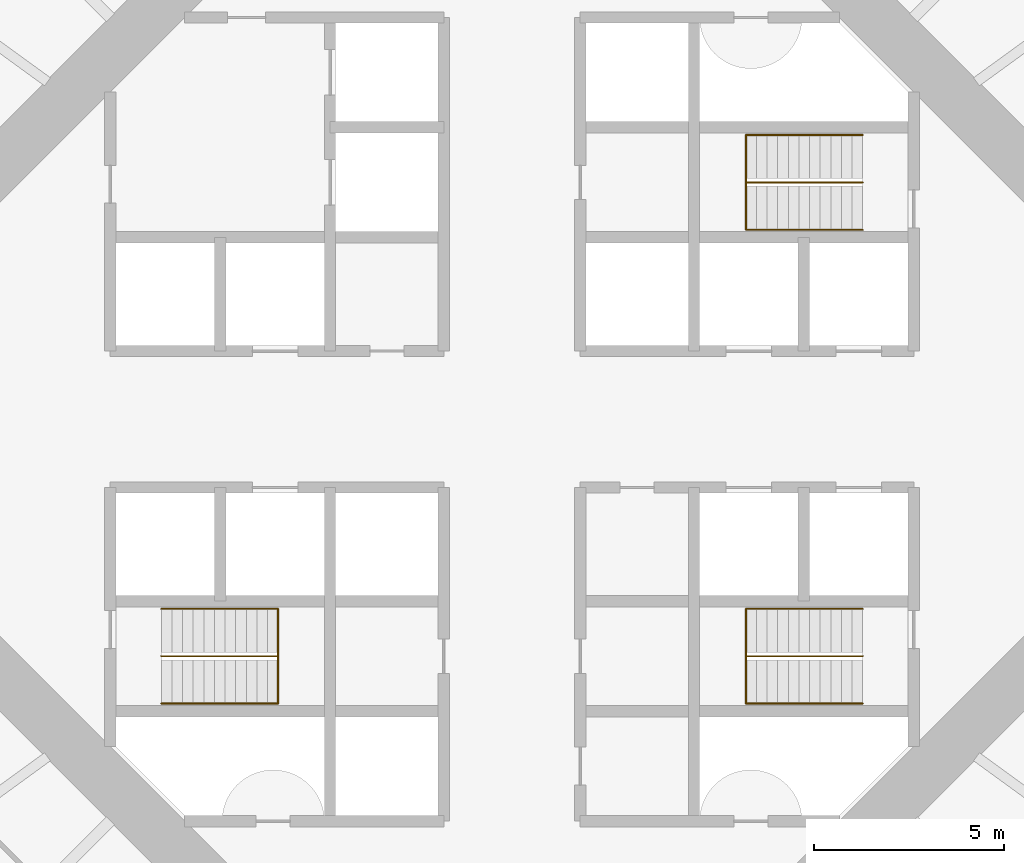
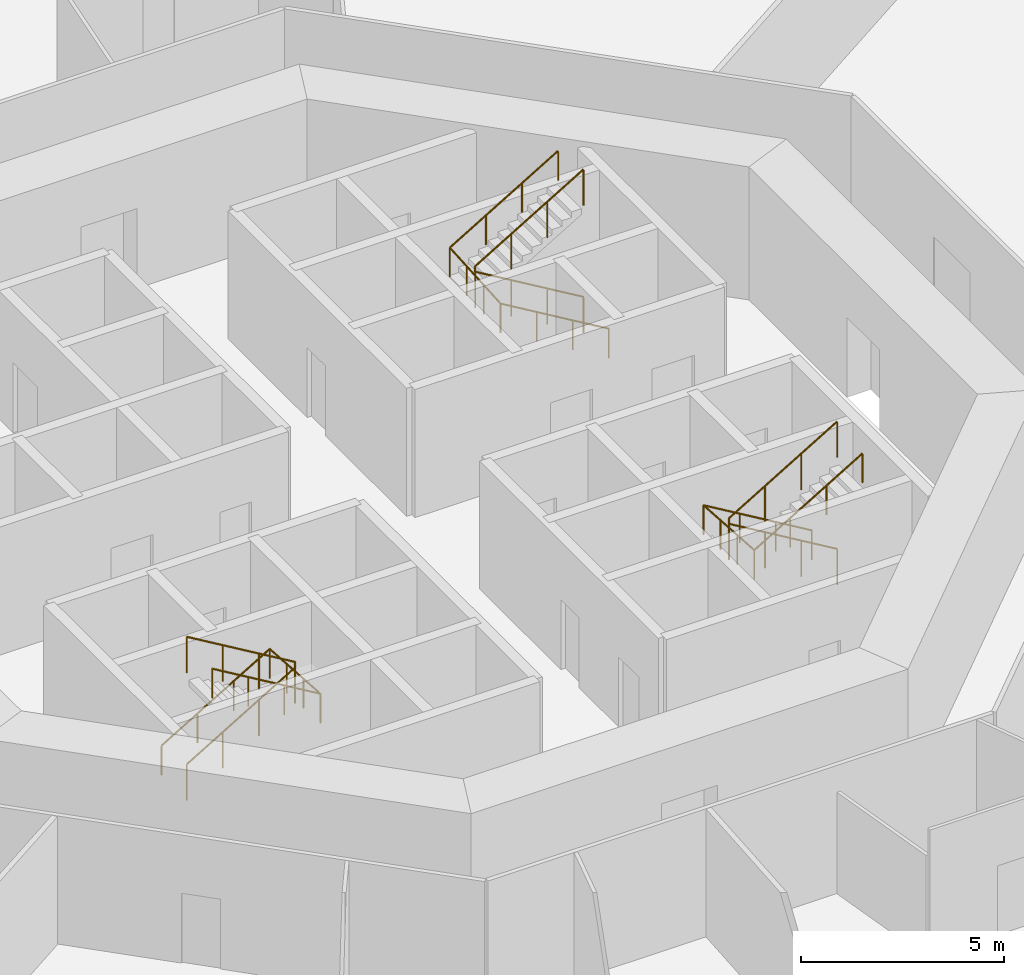
# One storey, part 13 of 13: 6 railings.
"""IFC4 building model written with IfcOpenShell, lengths in metres."""

from ifc_helpers import new_model, si_unit, direction, frame, origin, origin_2d, place, context, subcontext, project, spatial, circle, extrude, material, type_object, element, save


model = new_model("IFC4")

# Units and contexts
model_context = context("Model", 3, precision=1e-05, world=origin(), true_north=direction((0.0, 1.0)))
body_context = subcontext(model_context, "Body", "Model", "MODEL_VIEW")
ifc_project = project(units=[si_unit("LENGTHUNIT", "METRE"), si_unit("AREAUNIT", "SQUARE_METRE"), si_unit("VOLUMEUNIT", "CUBIC_METRE"), si_unit("PLANEANGLEUNIT", "RADIAN"), si_unit("MASSUNIT", "GRAM", prefix="KILO")], contexts=[model_context])

# Site, building, storey
site_placement = place(None, origin())
site = spatial("IfcSite", under=ifc_project, at=site_placement, CompositionType="ELEMENT")
building_placement = place(site_placement, origin())
building = spatial("IfcBuilding", under=site, at=building_placement, Name="Entoto Ring Tower", CompositionType="ELEMENT")
storey_placement = place(building_placement, frame((0.0, 0.0, 30.0)))
storey = spatial("IfcBuildingStorey", under=building, at=storey_placement, Name="L05", CompositionType="ELEMENT", Elevation=30.0)

# Railings
ifc_material_1 = material(Name="Steel S275", Category="steel")
railing_type_1 = type_object("IfcRailingType", Name="Stair guard 1100 mm steel", PredefinedType="GUARDRAIL", material=ifc_material_1)
railing_1_placement = place(storey_placement, frame((99.25, 86.25, 0.166748046875)))
element("IfcRailing", 1, at=railing_1_placement, inside=storey, type_object=railing_type_1, Name="Guard ST1", PredefinedType="GUARDRAIL", context=body_context, shape_type="SweptSolid", body=[
    extrude(circle(Radius=0.02392578125, at=origin_2d()), frame((0.0, 0.0, 1.076171875), z_axis=(-0.859308565015, 0.0, 0.511457515432), x_axis=(0.0, -1.0, 0.0)), (0.0, 0.0, 1.0), 3.58447265625),
    extrude(circle(Radius=0.02392578125, at=origin_2d()), frame((-3.080078125, 0.0, 2.9091796875), z_axis=(0.0, 0.0, 1.0), x_axis=(1.0, 0.0, 0.0)), (0.0, 0.0, 1.0), 0.166748046875),
    extrude(circle(Radius=0.02392578125, at=origin_2d()), frame((-3.080078125, 0.0, 3.076171875), z_axis=(0.859308565015, 0.0, 0.511457515432), x_axis=(0.0, 1.0, 0.0)), (0.0, 0.0, 1.0), 3.58447265625),
    extrude(circle(Radius=0.02099609375, at=origin_2d()), origin(), (0.0, 0.0, 1.0), 1.052001953125),
    extrude(circle(Radius=0.02099609375, at=origin_2d()), frame((-1.026611328125, 0.0, 0.611083984375)), (0.0, 0.0, 1.0), 1.052001953125),
    extrude(circle(Radius=0.02099609375, at=origin_2d()), frame((-2.053466796875, 0.0, 1.22216796875)), (0.0, 0.0, 1.0), 1.052001953125),
    extrude(circle(Radius=0.02099609375, at=origin_2d()), frame((-3.080078125, 0.0, 1.833251953125)), (0.0, 0.0, 1.0), 1.052001953125),
    extrude(circle(Radius=0.02099609375, at=origin_2d()), frame((-3.080078125, 0.0, 2.0)), (0.0, 0.0, 1.0), 1.052001953125),
    extrude(circle(Radius=0.02099609375, at=origin_2d()), frame((-2.053466796875, 0.0, 2.611083984375)), (0.0, 0.0, 1.0), 1.052001953125),
    extrude(circle(Radius=0.02099609375, at=origin_2d()), frame((-1.026611328125, 0.0, 3.22216796875)), (0.0, 0.0, 1.0), 1.052001953125),
    extrude(circle(Radius=0.02099609375, at=origin_2d()), frame((0.0, 0.0, 3.833251953125)), (0.0, 0.0, 1.0), 1.052001953125),
])
railing_2_placement = place(storey_placement, frame((80.75, 73.75, 0.166748046875)))
element("IfcRailing", 2, at=railing_2_placement, inside=storey, type_object=railing_type_1, Name="Guard ST2", PredefinedType="GUARDRAIL", context=body_context, shape_type="SweptSolid", body=[
    extrude(circle(Radius=0.02392578125, at=origin_2d()), frame((0.0, 0.0, 1.076171875), z_axis=(0.859308565015, 0.0, 0.511457515432), x_axis=(0.0, 1.0, 0.0)), (0.0, 0.0, 1.0), 3.58447265625),
    extrude(circle(Radius=0.02392578125, at=origin_2d()), frame((3.080078125, 0.0, 2.9091796875), z_axis=(0.0, 0.0, 1.0), x_axis=(1.0, 0.0, 0.0)), (0.0, 0.0, 1.0), 0.166748046875),
    extrude(circle(Radius=0.02392578125, at=origin_2d()), frame((3.080078125, 0.0, 3.076171875), z_axis=(-0.859308565015, 0.0, 0.511457515432), x_axis=(0.0, -1.0, 0.0)), (0.0, 0.0, 1.0), 3.58447265625),
    extrude(circle(Radius=0.02099609375, at=origin_2d()), origin(), (0.0, 0.0, 1.0), 1.052001953125),
    extrude(circle(Radius=0.02099609375, at=origin_2d()), frame((1.026611328125, 0.0, 0.611083984375)), (0.0, 0.0, 1.0), 1.052001953125),
    extrude(circle(Radius=0.02099609375, at=origin_2d()), frame((2.053466796875, 0.0, 1.22216796875)), (0.0, 0.0, 1.0), 1.052001953125),
    extrude(circle(Radius=0.02099609375, at=origin_2d()), frame((3.080078125, 0.0, 1.833251953125)), (0.0, 0.0, 1.0), 1.052001953125),
    extrude(circle(Radius=0.02099609375, at=origin_2d()), frame((3.080078125, 0.0, 2.0)), (0.0, 0.0, 1.0), 1.052001953125),
    extrude(circle(Radius=0.02099609375, at=origin_2d()), frame((2.053466796875, 0.0, 2.611083984375)), (0.0, 0.0, 1.0), 1.052001953125),
    extrude(circle(Radius=0.02099609375, at=origin_2d()), frame((1.026611328125, 0.0, 3.22216796875)), (0.0, 0.0, 1.0), 1.052001953125),
    extrude(circle(Radius=0.02099609375, at=origin_2d()), frame((0.0, 0.0, 3.833251953125)), (0.0, 0.0, 1.0), 1.052001953125),
])
railing_3_placement = place(storey_placement, frame((99.25, 73.75, 0.166748046875)))
element("IfcRailing", 3, at=railing_3_placement, inside=storey, type_object=railing_type_1, Name="Guard ST3", PredefinedType="GUARDRAIL", context=body_context, shape_type="SweptSolid", body=[
    extrude(circle(Radius=0.02392578125, at=origin_2d()), frame((0.0, 0.0, 1.076171875), z_axis=(-0.859308565015, 0.0, 0.511457515432), x_axis=(0.0, -1.0, 0.0)), (0.0, 0.0, 1.0), 3.58447265625),
    extrude(circle(Radius=0.02392578125, at=origin_2d()), frame((-3.080078125, 0.0, 2.9091796875), z_axis=(0.0, 0.0, 1.0), x_axis=(1.0, 0.0, 0.0)), (0.0, 0.0, 1.0), 0.166748046875),
    extrude(circle(Radius=0.02392578125, at=origin_2d()), frame((-3.080078125, 0.0, 3.076171875), z_axis=(0.859308565015, 0.0, 0.511457515432), x_axis=(0.0, 1.0, 0.0)), (0.0, 0.0, 1.0), 3.58447265625),
    extrude(circle(Radius=0.02099609375, at=origin_2d()), origin(), (0.0, 0.0, 1.0), 1.052001953125),
    extrude(circle(Radius=0.02099609375, at=origin_2d()), frame((-1.026611328125, 0.0, 0.611083984375)), (0.0, 0.0, 1.0), 1.052001953125),
    extrude(circle(Radius=0.02099609375, at=origin_2d()), frame((-2.053466796875, 0.0, 1.22216796875)), (0.0, 0.0, 1.0), 1.052001953125),
    extrude(circle(Radius=0.02099609375, at=origin_2d()), frame((-3.080078125, 0.0, 1.833251953125)), (0.0, 0.0, 1.0), 1.052001953125),
    extrude(circle(Radius=0.02099609375, at=origin_2d()), frame((-3.080078125, 0.0, 2.0)), (0.0, 0.0, 1.0), 1.052001953125),
    extrude(circle(Radius=0.02099609375, at=origin_2d()), frame((-2.053466796875, 0.0, 2.611083984375)), (0.0, 0.0, 1.0), 1.052001953125),
    extrude(circle(Radius=0.02099609375, at=origin_2d()), frame((-1.026611328125, 0.0, 3.22216796875)), (0.0, 0.0, 1.0), 1.052001953125),
    extrude(circle(Radius=0.02099609375, at=origin_2d()), frame((0.0, 0.0, 3.833251953125)), (0.0, 0.0, 1.0), 1.052001953125),
])
ifc_material_2 = material(Name="Steel S275", Category="steel")
railing_type_2 = type_object("IfcRailingType", Name="Stair handrail 900 mm steel", PredefinedType="HANDRAIL", material=ifc_material_2)
railing_4_placement = place(storey_placement, frame((99.25, 85.0, 0.166748046875)))
element("IfcRailing", 4, at=railing_4_placement, inside=storey, type_object=railing_type_2, Name="Handrail ST1", PredefinedType="HANDRAIL", context=body_context, shape_type="SweptSolid", body=[
    extrude(circle(Radius=0.02392578125, at=origin_2d()), frame((0.0, 0.0, 0.8759765625), z_axis=(-0.859308565015, 0.0, 0.511457515432), x_axis=(0.0, -1.0, 0.0)), (0.0, 0.0, 1.0), 3.58447265625),
    extrude(circle(Radius=0.02392578125, at=origin_2d()), frame((-3.080078125, 0.0, 2.708984375), z_axis=(0.0, 0.997783001586, 0.066551346688), x_axis=(-1.0, 0.0, 0.0)), (0.0, 0.0, 1.0), 2.505615234375),
    extrude(circle(Radius=0.02392578125, at=origin_2d()), frame((-3.080078125, 2.5, 2.8759765625), z_axis=(0.859308565015, 0.0, 0.511457515432), x_axis=(0.0, 1.0, 0.0)), (0.0, 0.0, 1.0), 3.58447265625),
    extrude(circle(Radius=0.02099609375, at=origin_2d()), origin(), (0.0, 0.0, 1.0), 0.851806640625),
    extrude(circle(Radius=0.02099609375, at=origin_2d()), frame((-1.026611328125, 0.0, 0.611083984375)), (0.0, 0.0, 1.0), 0.851806640625),
    extrude(circle(Radius=0.02099609375, at=origin_2d()), frame((-2.053466796875, 0.0, 1.22216796875)), (0.0, 0.0, 1.0), 0.851806640625),
    extrude(circle(Radius=0.02099609375, at=origin_2d()), frame((-3.080078125, 0.0, 1.833251953125)), (0.0, 0.0, 1.0), 0.851806640625),
    extrude(circle(Radius=0.02099609375, at=origin_2d()), frame((-3.080078125, 0.833251953125, 1.888916015625)), (0.0, 0.0, 1.0), 0.851806640625),
    extrude(circle(Radius=0.02099609375, at=origin_2d()), frame((-3.080078125, 1.666748046875, 1.9443359375)), (0.0, 0.0, 1.0), 0.851806640625),
    extrude(circle(Radius=0.02099609375, at=origin_2d()), frame((-3.080078125, 2.5, 2.0)), (0.0, 0.0, 1.0), 0.851806640625),
    extrude(circle(Radius=0.02099609375, at=origin_2d()), frame((-2.053466796875, 2.5, 2.611083984375)), (0.0, 0.0, 1.0), 0.851806640625),
    extrude(circle(Radius=0.02099609375, at=origin_2d()), frame((-1.026611328125, 2.5, 3.22216796875)), (0.0, 0.0, 1.0), 0.851806640625),
    extrude(circle(Radius=0.02099609375, at=origin_2d()), frame((0.0, 2.5, 3.833251953125)), (0.0, 0.0, 1.0), 0.851806640625),
])
railing_5_placement = place(storey_placement, frame((80.75, 75.0, 0.166748046875)))
element("IfcRailing", 5, at=railing_5_placement, inside=storey, type_object=railing_type_2, Name="Handrail ST2", PredefinedType="HANDRAIL", context=body_context, shape_type="SweptSolid", body=[
    extrude(circle(Radius=0.02392578125, at=origin_2d()), frame((0.0, 0.0, 0.8759765625), z_axis=(0.859308565015, 0.0, 0.511457515432), x_axis=(0.0, 1.0, 0.0)), (0.0, 0.0, 1.0), 3.58447265625),
    extrude(circle(Radius=0.02392578125, at=origin_2d()), frame((3.080078125, 0.0, 2.708984375), z_axis=(0.0, -0.997783001586, 0.066551346688), x_axis=(1.0, 0.0, 0.0)), (0.0, 0.0, 1.0), 2.505615234375),
    extrude(circle(Radius=0.02392578125, at=origin_2d()), frame((3.080078125, -2.5, 2.8759765625), z_axis=(-0.859308565015, 0.0, 0.511457515432), x_axis=(0.0, -1.0, 0.0)), (0.0, 0.0, 1.0), 3.58447265625),
    extrude(circle(Radius=0.02099609375, at=origin_2d()), origin(), (0.0, 0.0, 1.0), 0.851806640625),
    extrude(circle(Radius=0.02099609375, at=origin_2d()), frame((1.026611328125, 0.0, 0.611083984375)), (0.0, 0.0, 1.0), 0.851806640625),
    extrude(circle(Radius=0.02099609375, at=origin_2d()), frame((2.053466796875, 0.0, 1.22216796875)), (0.0, 0.0, 1.0), 0.851806640625),
    extrude(circle(Radius=0.02099609375, at=origin_2d()), frame((3.080078125, 0.0, 1.833251953125)), (0.0, 0.0, 1.0), 0.851806640625),
    extrude(circle(Radius=0.02099609375, at=origin_2d()), frame((3.080078125, -0.833251953125, 1.888916015625)), (0.0, 0.0, 1.0), 0.851806640625),
    extrude(circle(Radius=0.02099609375, at=origin_2d()), frame((3.080078125, -1.666748046875, 1.9443359375)), (0.0, 0.0, 1.0), 0.851806640625),
    extrude(circle(Radius=0.02099609375, at=origin_2d()), frame((3.080078125, -2.5, 2.0)), (0.0, 0.0, 1.0), 0.851806640625),
    extrude(circle(Radius=0.02099609375, at=origin_2d()), frame((2.053466796875, -2.5, 2.611083984375)), (0.0, 0.0, 1.0), 0.851806640625),
    extrude(circle(Radius=0.02099609375, at=origin_2d()), frame((1.026611328125, -2.5, 3.22216796875)), (0.0, 0.0, 1.0), 0.851806640625),
    extrude(circle(Radius=0.02099609375, at=origin_2d()), frame((0.0, -2.5, 3.833251953125)), (0.0, 0.0, 1.0), 0.851806640625),
])
railing_6_placement = place(storey_placement, frame((99.25, 75.0, 0.166748046875)))
element("IfcRailing", 6, at=railing_6_placement, inside=storey, type_object=railing_type_2, Name="Handrail ST3", PredefinedType="HANDRAIL", context=body_context, shape_type="SweptSolid", body=[
    extrude(circle(Radius=0.02392578125, at=origin_2d()), frame((0.0, 0.0, 0.8759765625), z_axis=(-0.859308565015, 0.0, 0.511457515432), x_axis=(0.0, -1.0, 0.0)), (0.0, 0.0, 1.0), 3.58447265625),
    extrude(circle(Radius=0.02392578125, at=origin_2d()), frame((-3.080078125, 0.0, 2.708984375), z_axis=(0.0, -0.997783001586, 0.066551346688), x_axis=(1.0, 0.0, 0.0)), (0.0, 0.0, 1.0), 2.505615234375),
    extrude(circle(Radius=0.02392578125, at=origin_2d()), frame((-3.080078125, -2.5, 2.8759765625), z_axis=(0.859308565015, 0.0, 0.511457515432), x_axis=(0.0, 1.0, 0.0)), (0.0, 0.0, 1.0), 3.58447265625),
    extrude(circle(Radius=0.02099609375, at=origin_2d()), origin(), (0.0, 0.0, 1.0), 0.851806640625),
    extrude(circle(Radius=0.02099609375, at=origin_2d()), frame((-1.026611328125, 0.0, 0.611083984375)), (0.0, 0.0, 1.0), 0.851806640625),
    extrude(circle(Radius=0.02099609375, at=origin_2d()), frame((-2.053466796875, 0.0, 1.22216796875)), (0.0, 0.0, 1.0), 0.851806640625),
    extrude(circle(Radius=0.02099609375, at=origin_2d()), frame((-3.080078125, 0.0, 1.833251953125)), (0.0, 0.0, 1.0), 0.851806640625),
    extrude(circle(Radius=0.02099609375, at=origin_2d()), frame((-3.080078125, -0.833251953125, 1.888916015625)), (0.0, 0.0, 1.0), 0.851806640625),
    extrude(circle(Radius=0.02099609375, at=origin_2d()), frame((-3.080078125, -1.666748046875, 1.9443359375)), (0.0, 0.0, 1.0), 0.851806640625),
    extrude(circle(Radius=0.02099609375, at=origin_2d()), frame((-3.080078125, -2.5, 2.0)), (0.0, 0.0, 1.0), 0.851806640625),
    extrude(circle(Radius=0.02099609375, at=origin_2d()), frame((-2.053466796875, -2.5, 2.611083984375)), (0.0, 0.0, 1.0), 0.851806640625),
    extrude(circle(Radius=0.02099609375, at=origin_2d()), frame((-1.026611328125, -2.5, 3.22216796875)), (0.0, 0.0, 1.0), 0.851806640625),
    extrude(circle(Radius=0.02099609375, at=origin_2d()), frame((0.0, -2.5, 3.833251953125)), (0.0, 0.0, 1.0), 0.851806640625),
])

save(model, "model.ifc")
